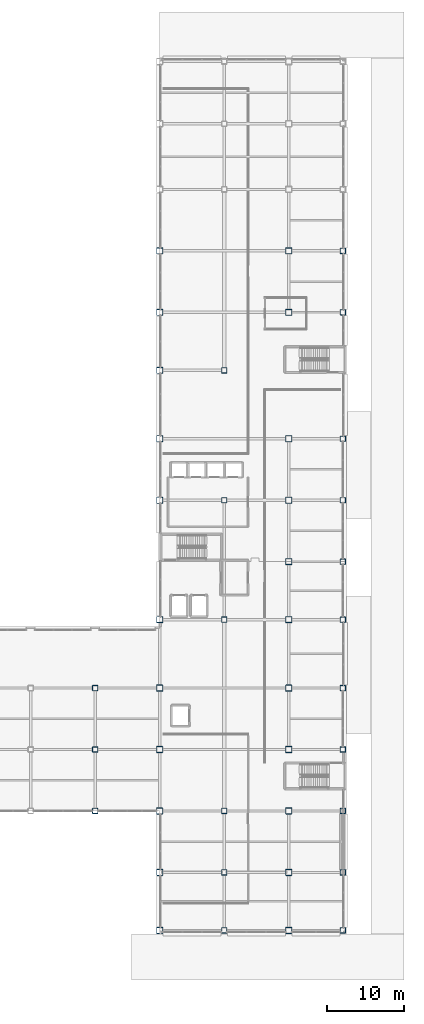
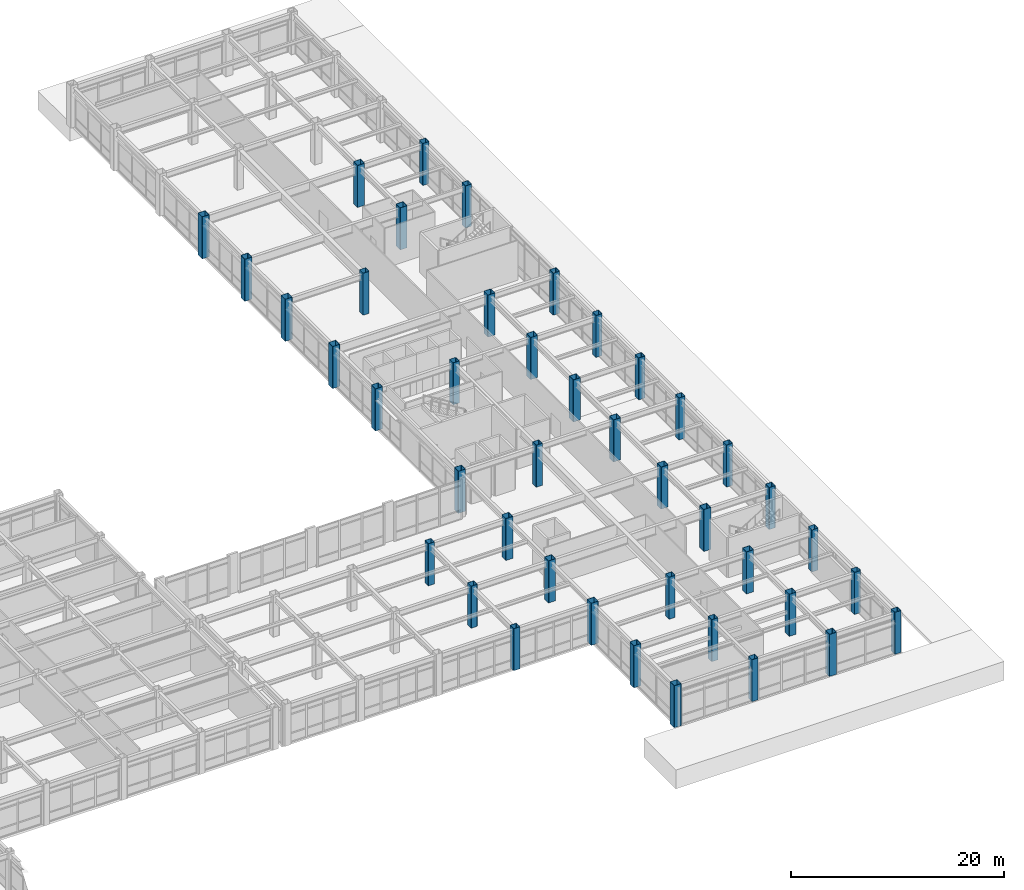
# One storey, part 6 of 172: 42 columns.
"""IFC4 building model written with IfcOpenShell, lengths in metres."""

from ifc_helpers import new_model, si_unit, direction, frame, origin, origin_2d, place, context, subcontext, project, spatial, hollow_rectangle, extrude, material, material_profile, profile_set, type_object, element, save


model = new_model("IFC4")

# Units and contexts
model_context = context("Model", 3, precision=1e-05, world=origin(), true_north=direction((0.0, 1.0)))
body_context = subcontext(model_context, "Body", "Model", "MODEL_VIEW")
ifc_project = project(units=[si_unit("LENGTHUNIT", "METRE"), si_unit("AREAUNIT", "SQUARE_METRE"), si_unit("VOLUMEUNIT", "CUBIC_METRE"), si_unit("PLANEANGLEUNIT", "RADIAN"), si_unit("MASSUNIT", "GRAM", prefix="KILO")], contexts=[model_context])

# Site, building, storey
site_placement = place(None, origin())
site = spatial("IfcSite", under=ifc_project, at=site_placement, CompositionType="ELEMENT")
building_placement = place(site_placement, origin())
building = spatial("IfcBuilding", under=site, at=building_placement, Name="Kazehara Bluff Congress Hotel", CompositionType="ELEMENT")
storey_placement = place(building_placement, frame((0.0, 0.0, 5.39990234375)))
storey = spatial("IfcBuildingStorey", under=building, at=storey_placement, Name="L01", CompositionType="ELEMENT", Elevation=5.39990234375)

# Columns
ifc_material_1 = material(Name="Steel BCR295", Category="steel")
ifc_material_profile_1 = material_profile(ifc_material_1, hollow_rectangle(XDim=0.800048828125, YDim=0.800048828125, WallThickness=0.031982421875, InnerFilletRadius=0.031982421875, OuterFilletRadius=0.06396484375, at=origin_2d()))
ifc_profile_set_1 = profile_set([ifc_material_profile_1], Name="Steel BCR295")
column_type_1 = type_object("IfcColumnType", Name="TP-C-02", PredefinedType="COLUMN", material=ifc_profile_set_1)
for number, where, z_axis, x_axis, name in (
    (1, (143.699951171875, 0.449951171875, 0.0), (0.0, 0.0, 1.0), (1.0, 0.0, 0.0), "L01 column C-02 (143.70,0.45)"),
    (2, (143.699951171875, 8.0, 0.0), (0.0, 0.0, 1.0), (1.0, 0.0, 0.0), "L01 column C-02 (143.70,8.00)"),
    (3, (143.699951171875, 16.0, 0.0), (0.0, 0.0, 1.0), (1.0, 0.0, 0.0), "L01 column C-02 (143.70,16.00)"),
    (4, (143.699951171875, 24.0, 0.0), (0.0, 0.0, 1.0), (1.0, 0.0, 0.0), "L01 column C-02 (143.70,24.00)"),
    (5, (143.699951171875, 32.0, 0.0), (0.0, 0.0, 1.0), (1.0, 0.0, 0.0), "L01 column C-02 (143.70,32.00)"),
    (6, (143.699951171875, 40.89990234375, 0.0), (0.0, 0.0, 1.0), (1.0, 0.0, 0.0), "L01 column C-02 (143.70,40.90)"),
    (7, (143.699951171875, 56.449951171875, 0.0), (0.0, 0.0, 1.0), (1.0, 0.0, 0.0), "L01 column C-02 (143.70,56.45)"),
    (8, (143.699951171875, 64.449951171875, 0.0), (0.0, 0.0, 1.0), (1.0, 0.0, 0.0), "L01 column C-02 (143.70,64.45)"),
    (9, (143.699951171875, 73.35009765625, 0.0), (0.0, 0.0, 1.0), (1.0, 0.0, 0.0), "L01 column C-02 (143.70,73.35)"),
    (10, (143.699951171875, 80.89990234375, 0.0), (0.0, 0.0, 1.0), (1.0, 0.0, 0.0), "L01 column C-02 (143.70,80.90)"),
    (11, (143.699951171875, 88.89990234375, 0.0), (0.0, 0.0, 1.0), (1.0, 0.0, 0.0), "L01 column C-02 (143.70,88.90)"),
    (12, (160.5, 0.449951171875, 0.0), (0.0, 0.0, 1.0), (1.0, 0.0, 0.0), "L01 column C-02 (160.50,0.45)"),
    (13, (160.5, 8.0, 0.0), (0.0, 0.0, 1.0), (1.0, 0.0, 0.0), "L01 column C-02 (160.50,8.00)"),
    (14, (160.5, 16.0, 0.0), (0.0, 0.0, 1.0), (1.0, 0.0, 0.0), "L01 column C-02 (160.50,16.00)"),
    (15, (160.5, 24.0, 0.0), (0.0, 0.0, 1.0), (1.0, 0.0, 0.0), "L01 column C-02 (160.50,24.00)"),
    (16, (160.5, 32.0, 0.0), (0.0, 0.0, 1.0), (1.0, 0.0, 0.0), "L01 column C-02 (160.50,32.00)"),
    (17, (160.5, 40.89990234375, 0.0), (0.0, 0.0, 1.0), (1.0, 0.0, 0.0), "L01 column C-02 (160.50,40.90)"),
    (18, (160.5, 48.449951171875, 0.0), (0.0, 0.0, 1.0), (1.0, 0.0, 0.0), "L01 column C-02 (160.50,48.45)"),
    (19, (160.5, 56.449951171875, 0.0), (0.0, 0.0, 1.0), (1.0, 0.0, 0.0), "L01 column C-02 (160.50,56.45)"),
    (20, (160.5, 64.449951171875, 0.0), (0.0, 0.0, 1.0), (1.0, 0.0, 0.0), "L01 column C-02 (160.50,64.45)"),
    (21, (160.5, 80.89990234375, 0.0), (0.0, 0.0, 1.0), (1.0, 0.0, 0.0), "L01 column C-02 (160.50,80.90)"),
    (22, (160.5, 88.89990234375, 0.0), (0.0, 0.0, 1.0), (1.0, 0.0, 0.0), "L01 column C-02 (160.50,88.90)"),
):
    element("IfcColumn", number, at=place(storey_placement, frame(where, z_axis=z_axis, x_axis=x_axis)), inside=storey, type_object=column_type_1, Name=name, PredefinedType="COLUMN", context=body_context, shape_type="SweptSolid", body=[
        extrude(hollow_rectangle(XDim=0.800048828125, YDim=0.800048828125, WallThickness=0.031982421875, InnerFilletRadius=0.031982421875, OuterFilletRadius=0.06396484375, at=origin_2d()), origin(), (0.0, 0.0, 1.0), 4.800048828125),
    ])
ifc_material_2 = material(Name="Steel BCR295", Category="steel")
ifc_material_profile_2 = material_profile(ifc_material_2, hollow_rectangle(XDim=0.699951171875, YDim=0.699951171875, WallThickness=0.028076171875, InnerFilletRadius=0.028076171875, OuterFilletRadius=0.055908203125, at=origin_2d()))
ifc_profile_set_2 = profile_set([ifc_material_profile_2], Name="Steel BCR295")
column_type_2 = type_object("IfcColumnType", Name="TP-C-03", PredefinedType="COLUMN", material=ifc_profile_set_2)
for number, where, z_axis, x_axis, name in (
    (23, (135.300048828125, 16.0, 0.0), (0.0, 0.0, 1.0), (1.0, 0.0, 0.0), "L01 column C-03 (135.30,16.00)"),
    (24, (135.300048828125, 24.0, 0.0), (0.0, 0.0, 1.0), (1.0, 0.0, 0.0), "L01 column C-03 (135.30,24.00)"),
    (25, (135.300048828125, 32.0, 0.0), (0.0, 0.0, 1.0), (1.0, 0.0, 0.0), "L01 column C-03 (135.30,32.00)"),
    (26, (152.10009765625, 0.449951171875, 0.0), (0.0, 0.0, 1.0), (1.0, 0.0, 0.0), "L01 column C-03 (152.10,0.45)"),
    (27, (152.10009765625, 8.0, 0.0), (0.0, 0.0, 1.0), (1.0, 0.0, 0.0), "L01 column C-03 (152.10,8.00)"),
    (28, (152.10009765625, 16.0, 0.0), (0.0, 0.0, 1.0), (1.0, 0.0, 0.0), "L01 column C-03 (152.10,16.00)"),
    (29, (152.10009765625, 40.89990234375, 0.0), (0.0, 0.0, 1.0), (1.0, 0.0, 0.0), "L01 column C-03 (152.10,40.90)"),
    (30, (152.10009765625, 56.449951171875, 0.0), (0.0, 0.0, 1.0), (1.0, 0.0, 0.0), "L01 column C-03 (152.10,56.45)"),
    (31, (152.10009765625, 73.35009765625, 0.0), (0.0, 0.0, 1.0), (1.0, 0.0, 0.0), "L01 column C-03 (152.10,73.35)"),
    (32, (167.550048828125, 0.449951171875, 0.0), (0.0, 0.0, 1.0), (1.0, 0.0, 0.0), "L01 column C-03 (167.55,0.45)"),
    (33, (167.550048828125, 8.0, 0.0), (0.0, 0.0, 1.0), (1.0, 0.0, 0.0), "L01 column C-03 (167.55,8.00)"),
    (34, (167.550048828125, 16.0, 0.0), (0.0, 0.0, 1.0), (1.0, 0.0, 0.0), "L01 column C-03 (167.55,16.00)"),
    (35, (167.550048828125, 24.0, 0.0), (0.0, 0.0, 1.0), (1.0, 0.0, 0.0), "L01 column C-03 (167.55,24.00)"),
    (36, (167.550048828125, 32.0, 0.0), (0.0, 0.0, 1.0), (1.0, 0.0, 0.0), "L01 column C-03 (167.55,32.00)"),
    (37, (167.550048828125, 40.89990234375, 0.0), (0.0, 0.0, 1.0), (1.0, 0.0, 0.0), "L01 column C-03 (167.55,40.90)"),
    (38, (167.550048828125, 48.449951171875, 0.0), (0.0, 0.0, 1.0), (1.0, 0.0, 0.0), "L01 column C-03 (167.55,48.45)"),
    (39, (167.550048828125, 56.449951171875, 0.0), (0.0, 0.0, 1.0), (1.0, 0.0, 0.0), "L01 column C-03 (167.55,56.45)"),
    (40, (167.550048828125, 64.449951171875, 0.0), (0.0, 0.0, 1.0), (1.0, 0.0, 0.0), "L01 column C-03 (167.55,64.45)"),
    (41, (167.550048828125, 80.89990234375, 0.0), (0.0, 0.0, 1.0), (1.0, 0.0, 0.0), "L01 column C-03 (167.55,80.90)"),
    (42, (167.550048828125, 88.89990234375, 0.0), (0.0, 0.0, 1.0), (1.0, 0.0, 0.0), "L01 column C-03 (167.55,88.90)"),
):
    element("IfcColumn", number, at=place(storey_placement, frame(where, z_axis=z_axis, x_axis=x_axis)), inside=storey, type_object=column_type_2, Name=name, PredefinedType="COLUMN", context=body_context, shape_type="SweptSolid", body=[
        extrude(hollow_rectangle(XDim=0.699951171875, YDim=0.699951171875, WallThickness=0.028076171875, InnerFilletRadius=0.028076171875, OuterFilletRadius=0.055908203125, at=origin_2d()), origin(), (0.0, 0.0, 1.0), 4.800048828125),
    ])

save(model, "model.ifc")
